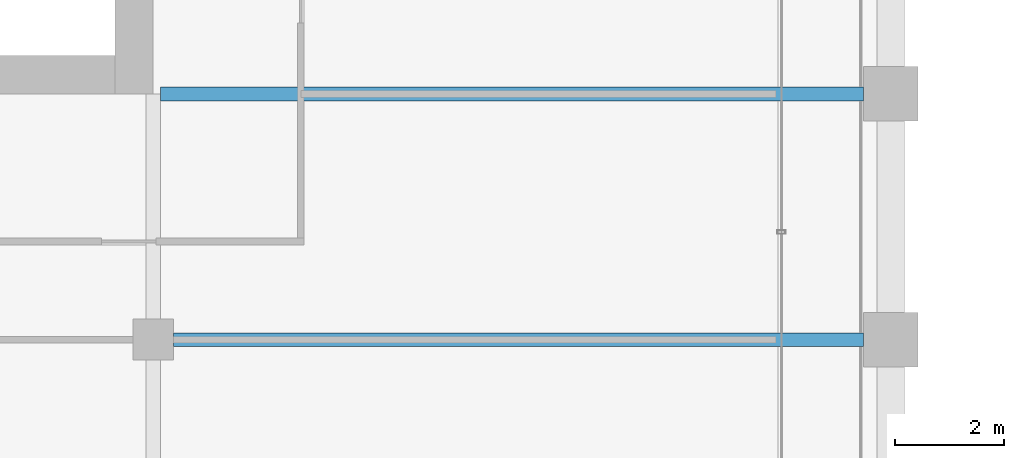
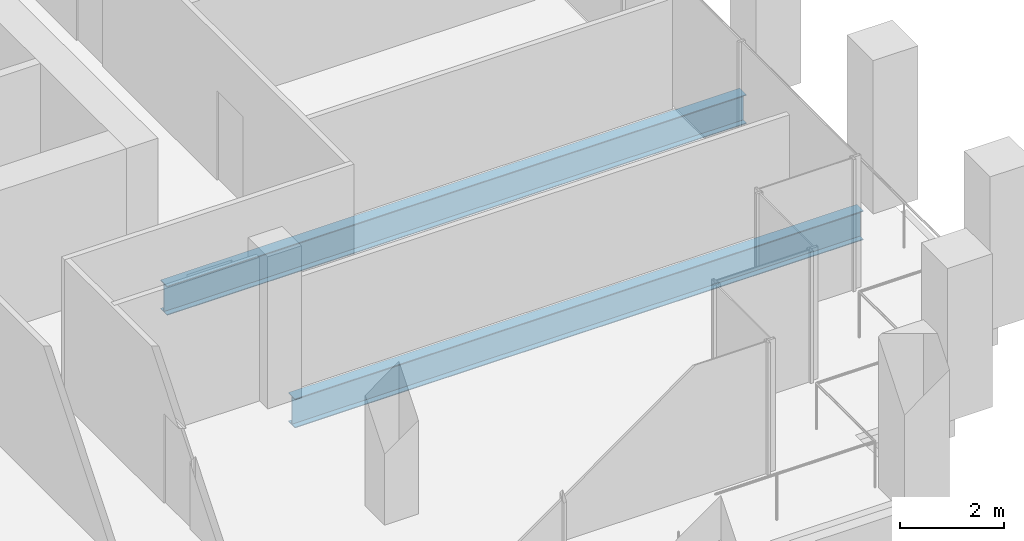
# One storey, part 14 of 46: 2 beams.
"""IFC4 building model written with IfcOpenShell, lengths in metres."""

from ifc_helpers import new_model, si_unit, direction, frame, origin, origin_2d, place, context, subcontext, project, spatial, i_section, extrude, material, material_profile, profile_set, type_object, element, save


model = new_model("IFC4")

# Units and contexts
model_context = context("Model", 3, precision=1e-05, world=origin(), true_north=direction((0.0, 1.0)))
body_context = subcontext(model_context, "Body", "Model", "MODEL_VIEW")
ifc_project = project(units=[si_unit("LENGTHUNIT", "METRE"), si_unit("AREAUNIT", "SQUARE_METRE"), si_unit("VOLUMEUNIT", "CUBIC_METRE"), si_unit("PLANEANGLEUNIT", "RADIAN"), si_unit("MASSUNIT", "GRAM", prefix="KILO")], contexts=[model_context])

# Site, building, storey
site_placement = place(None, origin())
site = spatial("IfcSite", under=ifc_project, at=site_placement, CompositionType="ELEMENT")
building_placement = place(site_placement, origin())
building = spatial("IfcBuilding", under=site, at=building_placement, Name="Altepetl Exchange Towers", CompositionType="ELEMENT")
storey_placement = place(building_placement, frame((0.0, 0.0, 135.199951171875)))
storey = spatial("IfcBuildingStorey", under=building, at=storey_placement, Name="L33", CompositionType="ELEMENT", Elevation=135.199951171875)

# Beams
ifc_material = material(Name="Steel S355", Category="steel")
ifc_material_profile = material_profile(ifc_material, i_section(OverallWidth=0.25390625, OverallDepth=0.68408203125, WebThickness=0.012451171875, FlangeThickness=0.018798828125, at=origin_2d()), Name="W27X94")
ifc_profile_set = profile_set([ifc_material_profile], Name="Steel S355")
beam_type = type_object("IfcBeamType", Name="Floor beam W27X94", PredefinedType="BEAM", material=ifc_profile_set)
beam_1_placement = place(storey_placement, frame((58.875, 36.0, -0.491943359375), z_axis=(1.0, 0.0, 0.0), x_axis=(0.0, 1.0, 0.0)))
element("IfcBeam", 1, at=beam_1_placement, inside=storey, type_object=beam_type, Name="bm:A:L33:007", PredefinedType="BEAM", context=body_context, shape_type="SweptSolid", body=[
    extrude(i_section(OverallWidth=0.25390625, OverallDepth=0.68408203125, WebThickness=0.012451171875, FlangeThickness=0.018798828125, at=origin_2d()), origin(), (0.0, 0.0, 1.0), 12.625),
])
beam_2_placement = place(storey_placement, frame((58.634033203125, 40.5, -0.491943359375), z_axis=(1.0, 0.0, 0.0), x_axis=(0.0, 1.0, 0.0)))
element("IfcBeam", 2, at=beam_2_placement, inside=storey, type_object=beam_type, Name="bm:A:L33:008", PredefinedType="BEAM", context=body_context, shape_type="SweptSolid", body=[
    extrude(i_section(OverallWidth=0.25390625, OverallDepth=0.68408203125, WebThickness=0.012451171875, FlangeThickness=0.018798828125, at=origin_2d()), origin(), (0.0, 0.0, 1.0), 12.865966796875),
])

save(model, "model.ifc")
